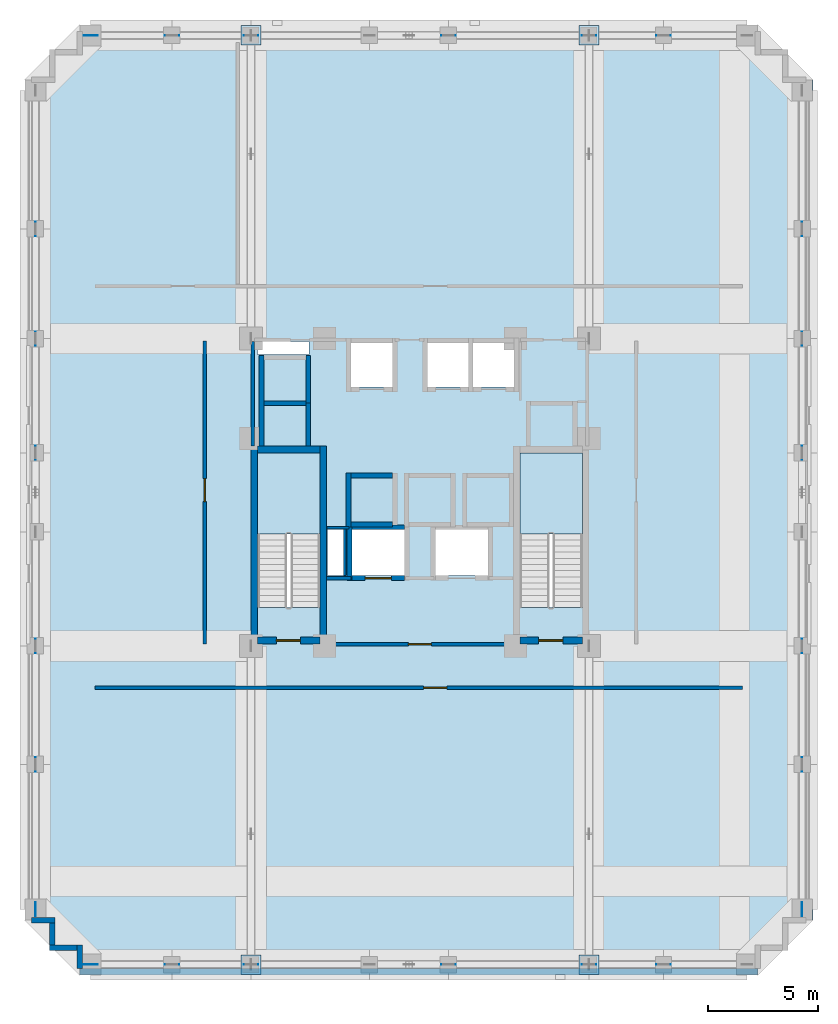
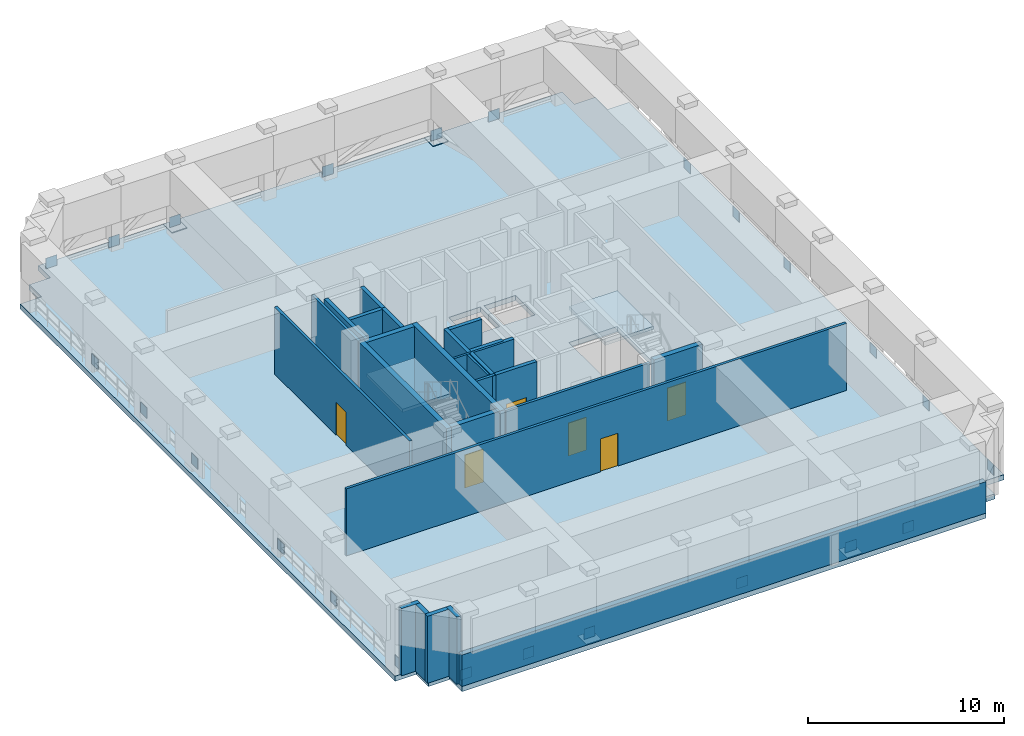
# One storey, part 3 of 11: 28 plates, 27 walls, 6 doors, 3 slabs, 6 openings, 2 elements without a shape of their own.
"""IFC4 building model written with IfcOpenShell, lengths in metres."""

from ifc_helpers import new_model, si_unit, derived_unit, direction, frame, frame_2d, origin, origin_2d, place, context, subcontext, project, spatial, polyline, rectangle, outline, extrude, material, layer, layer_set, type_object, element, fill, aggregate, save


model = new_model("IFC4")

# Units and contexts
model_context = context("Model", 3, precision=1e-05, world=origin(), true_north=direction((0.0, 1.0)))
body_context = subcontext(model_context, "Body", "Model", "MODEL_VIEW")
ifc_project = project(units=[si_unit("LENGTHUNIT", "METRE"), si_unit("AREAUNIT", "SQUARE_METRE"), si_unit("VOLUMEUNIT", "CUBIC_METRE"), si_unit("PLANEANGLEUNIT", "RADIAN"), si_unit("MASSUNIT", "GRAM", prefix="KILO"), derived_unit("THERMALTRANSMITTANCEUNIT", [(si_unit("MASSUNIT", "GRAM", prefix="KILO"), 1), (si_unit("TIMEUNIT", "SECOND"), -3), (si_unit("THERMODYNAMICTEMPERATUREUNIT", "KELVIN"), -1)])], contexts=[model_context])

# Site, building, storey
site_placement = place(None, origin())
site = spatial("IfcSite", under=ifc_project, at=site_placement, CompositionType="ELEMENT")
building_placement = place(site_placement, origin())
building = spatial("IfcBuilding", under=site, at=building_placement, Name="Korrvale Station Residences", CompositionType="ELEMENT")
storey_placement = place(building_placement, frame((0.0, 0.0, 119.89990234375)))
storey = spatial("IfcBuildingStorey", under=building, at=storey_placement, Name="L34", CompositionType="ELEMENT", Elevation=119.89990234375)

# Plates
ifc_material_1 = material(Name="Steel S355", Category="steel")
ifc_layer_1 = layer(ifc_material_1, 0.034912109375, Name="Steel S355")
ifc_layer_set_1 = layer_set([ifc_layer_1], Name="Steel S355")
plate_type_1 = type_object("IfcPlateType", Name="PLT-BASE-35", PredefinedType="SHEET", material=ifc_layer_set_1)
for number, where, z_axis, x_axis, name in (
    (1, (17.800048828125, 0.47998046875, 0.0), (0.0, 0.0, 1.0), (1.0, 0.0, 0.0), "L34 Outrigger Anchor Base Plate 1"),
    (2, (33.199951171875, 0.47998046875, 0.0), (0.0, 0.0, 1.0), (1.0, 0.0, 0.0), "L34 Outrigger Anchor Base Plate 2"),
    (3, (17.800048828125, 42.820068359375, 0.0), (0.0, 0.0, 1.0), (1.0, 0.0, 0.0), "L34 Outrigger Anchor Base Plate 3"),
    (4, (33.199951171875, 42.820068359375, 0.0), (0.0, 0.0, 1.0), (1.0, 0.0, 0.0), "L34 Outrigger Anchor Base Plate 4"),
):
    element("IfcPlate", number, at=place(storey_placement, frame(where, z_axis=z_axis, x_axis=x_axis)), inside=storey, type_object=plate_type_1, Name=name, PredefinedType="SHEET", context=body_context, shape_type="SweptSolid", body=[
        extrude(rectangle(XDim=0.89990234375, YDim=0.89990234375, at=origin_2d()), origin(), (0.0, 0.0, 1.0), 0.034912109375),
    ])
ifc_layer_2 = layer(ifc_material_1, 0.02490234375, Name="Steel S355")
ifc_layer_set_2 = layer_set([ifc_layer_2], Name="Steel S355")
plate_type_2 = type_object("IfcPlateType", Name="PLT-GUSSET-25", PredefinedType="SHEET", material=ifc_layer_set_2)
for number, where, z_axis, x_axis, name in (
    (5, (10.5, 0.47998046875, 0.025146484375), (0.0, 0.0, 1.0), (1.0, 0.0, 0.0), "L34 Belt Truss Node Gusset Plate 01"),
    (6, (14.199951171875, 0.47998046875, 0.025146484375), (0.0, 0.0, 1.0), (1.0, 0.0, 0.0), "L34 Belt Truss Node Gusset Plate 02"),
    (7, (17.800048828125, 0.47998046875, 0.025146484375), (0.0, 0.0, 1.0), (1.0, 0.0, 0.0), "L34 Belt Truss Node Gusset Plate 03"),
    (8, (26.800048828125, 0.47998046875, 0.025146484375), (0.0, 0.0, 1.0), (1.0, 0.0, 0.0), "L34 Belt Truss Node Gusset Plate 04"),
    (9, (33.199951171875, 0.47998046875, 0.025146484375), (0.0, 0.0, 1.0), (1.0, 0.0, 0.0), "L34 Belt Truss Node Gusset Plate 05"),
    (10, (36.60009765625, 0.47998046875, 0.025146484375), (0.0, 0.0, 1.0), (1.0, 0.0, 0.0), "L34 Belt Truss Node Gusset Plate 06"),
    (11, (10.5, 42.820068359375, 0.025146484375), (0.0, 0.0, 1.0), (1.0, 0.0, 0.0), "L34 Belt Truss Node Gusset Plate 07"),
    (12, (14.199951171875, 42.820068359375, 0.025146484375), (0.0, 0.0, 1.0), (1.0, 0.0, 0.0), "L34 Belt Truss Node Gusset Plate 08"),
    (13, (17.800048828125, 42.820068359375, 0.025146484375), (0.0, 0.0, 1.0), (1.0, 0.0, 0.0), "L34 Belt Truss Node Gusset Plate 09"),
    (14, (26.800048828125, 42.820068359375, 0.025146484375), (0.0, 0.0, 1.0), (1.0, 0.0, 0.0), "L34 Belt Truss Node Gusset Plate 10"),
    (15, (33.199951171875, 42.820068359375, 0.025146484375), (0.0, 0.0, 1.0), (1.0, 0.0, 0.0), "L34 Belt Truss Node Gusset Plate 11"),
    (16, (36.60009765625, 42.820068359375, 0.025146484375), (0.0, 0.0, 1.0), (1.0, 0.0, 0.0), "L34 Belt Truss Node Gusset Plate 12"),
    (17, (7.97998046875, 3.0, 0.025146484375), (0.0, 0.0, 1.0), (0.0, 1.0, 0.0), "L34 Belt Truss Node Gusset Plate 13"),
    (18, (7.97998046875, 9.60009765625, 0.025146484375), (0.0, 0.0, 1.0), (0.0, 1.0, 0.0), "L34 Belt Truss Node Gusset Plate 14"),
    (19, (7.97998046875, 15.0, 0.025146484375), (0.0, 0.0, 1.0), (0.0, 1.0, 0.0), "L34 Belt Truss Node Gusset Plate 15"),
    (20, (7.97998046875, 23.800048828125, 0.025146484375), (0.0, 0.0, 1.0), (0.0, 1.0, 0.0), "L34 Belt Truss Node Gusset Plate 16"),
    (21, (7.97998046875, 29.0, 0.025146484375), (0.0, 0.0, 1.0), (0.0, 1.0, 0.0), "L34 Belt Truss Node Gusset Plate 17"),
    (22, (7.97998046875, 34.0, 0.025146484375), (0.0, 0.0, 1.0), (0.0, 1.0, 0.0), "L34 Belt Truss Node Gusset Plate 18"),
    (23, (42.919921875, 3.0, 0.025146484375), (0.0, 0.0, 1.0), (0.0, 1.0, 0.0), "L34 Belt Truss Node Gusset Plate 19"),
    (24, (42.919921875, 9.60009765625, 0.025146484375), (0.0, 0.0, 1.0), (0.0, 1.0, 0.0), "L34 Belt Truss Node Gusset Plate 20"),
    (25, (42.919921875, 15.0, 0.025146484375), (0.0, 0.0, 1.0), (0.0, 1.0, 0.0), "L34 Belt Truss Node Gusset Plate 21"),
    (26, (42.919921875, 23.800048828125, 0.025146484375), (0.0, 0.0, 1.0), (0.0, 1.0, 0.0), "L34 Belt Truss Node Gusset Plate 22"),
    (27, (42.919921875, 29.0, 0.025146484375), (0.0, 0.0, 1.0), (0.0, 1.0, 0.0), "L34 Belt Truss Node Gusset Plate 23"),
    (28, (42.919921875, 34.0, 0.025146484375), (0.0, 0.0, 1.0), (0.0, 1.0, 0.0), "L34 Belt Truss Node Gusset Plate 24"),
):
    element("IfcPlate", number, at=place(storey_placement, frame(where, z_axis=z_axis, x_axis=x_axis)), inside=storey, type_object=plate_type_2, Name=name, PredefinedType="SHEET", context=body_context, shape_type="SweptSolid", body=[
        extrude(rectangle(XDim=0.64990234375, YDim=0.02490234375, at=origin_2d()), origin(), (0.0, 0.0, 1.0), 0.64990234375),
    ])

# Slab
ifc_material_2 = material(Name="Concrete C50/60", Category="concrete")
ifc_layer_3 = layer(ifc_material_2, 0.320068359375, Name="Concrete C50/60")
ifc_layer_set_3 = layer_set([ifc_layer_3], Name="Concrete C50/60")
slab_type_1 = type_object("IfcSlabType", Name="SLB-FLR-320", PredefinedType="FLOOR", material=ifc_layer_set_3)
slab_1_placement = place(storey_placement, frame((0.0, 0.0, -0.31982421875)))
element("IfcSlab", 29, at=slab_1_placement, inside=storey, type_object=slab_type_1, Name="L34 Suspended Structural Floor Slab", PredefinedType="FLOOR", context=body_context, shape_type="SweptSolid", body=[
    extrude(outline(polyline([(10.0, 0.0), (40.89990234375, 0.0), (40.89990234375, 1.25), (42.14990234375, 1.25), (42.14990234375, 2.5), (43.39990234375, 2.5), (43.39990234375, 40.800048828125), (42.14990234375, 40.800048828125), (42.14990234375, 42.050048828125), (40.89990234375, 42.050048828125), (40.89990234375, 43.300048828125), (10.0, 43.300048828125), (10.0, 42.050048828125), (8.75, 42.050048828125), (8.75, 40.800048828125), (7.5, 40.800048828125), (7.5, 2.5), (8.75, 2.5), (8.75, 1.25), (10.0, 1.25), (10.0, 0.0)]), holes=[polyline([(20.949951171875, 16.751953125), (20.949951171875, 23.800048828125), (18.10009765625, 23.800048828125), (18.10009765625, 16.751953125), (20.949951171875, 16.751953125)]), polyline([(32.89990234375, 16.751953125), (32.89990234375, 23.800048828125), (30.050048828125, 23.800048828125), (30.050048828125, 16.751953125), (32.89990234375, 16.751953125)]), polyline([(22.35009765625, 26.800048828125), (24.25, 26.800048828125), (24.25, 28.800048828125), (22.35009765625, 28.800048828125), (22.35009765625, 26.800048828125)]), polyline([(25.85009765625, 26.800048828125), (27.7099609375, 26.800048828125), (27.7099609375, 28.800048828125), (25.85009765625, 28.800048828125), (25.85009765625, 26.800048828125)]), polyline([(27.929931640625, 26.800048828125), (29.7900390625, 26.800048828125), (29.7900390625, 28.800048828125), (27.929931640625, 28.800048828125), (27.929931640625, 26.800048828125)]), polyline([(22.39990234375, 18.199951171875), (24.800048828125, 18.199951171875), (24.800048828125, 20.300048828125), (22.39990234375, 20.300048828125), (22.39990234375, 18.199951171875)]), polyline([(26.199951171875, 18.199951171875), (28.60009765625, 18.199951171875), (28.60009765625, 20.300048828125), (26.199951171875, 20.300048828125), (26.199951171875, 18.199951171875)]), polyline([(18.10009765625, 28.280029296875), (20.449951171875, 28.280029296875), (20.449951171875, 28.8798828125), (18.10009765625, 28.8798828125), (18.10009765625, 28.280029296875)]), polyline([(21.280029296875, 18.199951171875), (22.02001953125, 18.199951171875), (22.02001953125, 20.300048828125), (21.280029296875, 20.300048828125), (21.280029296875, 18.199951171875)])]), origin(), (0.0, 0.0, 1.0), 0.31982421875),
])

# Stair, slab
stair_type = type_object("IfcStairType", Name="STR-DL-1350-26R-1731", PredefinedType="HALF_TURN_STAIR", material=ifc_material_2)
stair_1_placement = place(storey_placement, origin())
stair_1 = element("IfcStair", 30, at=stair_1_placement, inside=storey, type_object=stair_type, Name="L34 Exit Stair 1", PredefinedType="HALF_TURN_STAIR")
ifc_layer_4 = layer(ifc_material_2, 0.199951171875, Name="Concrete C50/60")
ifc_layer_set_4 = layer_set([ifc_layer_4], Name="Concrete C50/60")
slab_type_2 = type_object("IfcSlabType", Name="SLB-LND-200", PredefinedType="LANDING", material=ifc_layer_set_4)
slab_2_placement = place(storey_placement, frame((0.0, 0.0, 2.050048828125)))
slab_2 = element("IfcSlab", 31, at=slab_2_placement, type_object=slab_type_2, Name="ST-1 landing 1", PredefinedType="LANDING", context=body_context, shape_type="SweptSolid", body=[
    extrude(outline(polyline([(20.949951171875, 20.110107421875), (20.949951171875, 23.800048828125), (18.10009765625, 23.800048828125), (18.10009765625, 20.110107421875), (20.949951171875, 20.110107421875)])), origin(), (0.0, 0.0, 1.0), 0.199951171875),
])
aggregate(stair_1, [slab_2])

stair_2_placement = place(storey_placement, origin())
stair_2 = element("IfcStair", 32, at=stair_2_placement, inside=storey, type_object=stair_type, Name="L34 Exit Stair 2", PredefinedType="HALF_TURN_STAIR")
slab_3_placement = place(storey_placement, frame((0.0, 0.0, 2.050048828125)))
slab_3 = element("IfcSlab", 33, at=slab_3_placement, type_object=slab_type_2, Name="ST-2 landing 1", PredefinedType="LANDING", context=body_context, shape_type="SweptSolid", body=[
    extrude(outline(polyline([(32.89990234375, 20.110107421875), (32.89990234375, 23.800048828125), (30.050048828125, 23.800048828125), (30.050048828125, 20.110107421875), (32.89990234375, 20.110107421875)])), origin(), (0.0, 0.0, 1.0), 0.199951171875),
])
aggregate(stair_2, [slab_3])

# Walls
ifc_material_3 = material(Name="Concrete C60/75", Category="concrete")
ifc_layer_5 = layer(ifc_material_3, 0.300048828125, Name="Concrete C60/75")
ifc_layer_set_5 = layer_set([ifc_layer_5], Name="Concrete C60/75")
wall_type_1 = type_object("IfcWallType", Name="WAL-CORE-300-C60", PredefinedType="SHEAR", material=ifc_layer_set_5)
for number, where, z_axis, x_axis, name in (
    (34, (17.949951171875, 15.10009765625, 0.0), (0.0, 0.0, 1.0), (0.0, 1.0, 0.0), "L34 ST-1 Core Shear Wall West"),
    (35, (21.10009765625, 15.10009765625, 0.0), (0.0, 0.0, 1.0), (0.0, 1.0, 0.0), "L34 ST-1 Core Shear Wall East"),
):
    element("IfcWall", number, at=place(storey_placement, frame(where, z_axis=z_axis, x_axis=x_axis)), inside=storey, type_object=wall_type_1, Name=name, PredefinedType="SHEAR", context=body_context, shape_type="SweptSolid", body=[
        extrude(rectangle(XDim=9.0, YDim=0.300048828125, at=frame_2d((4.5, 0.0))), origin(), (0.0, 0.0, 1.0), 4.18017578125),
    ])
wall_1_placement = place(storey_placement, frame((18.10009765625, 23.949951171875, 0.0), z_axis=(0.0, 0.0, 1.0), x_axis=(1.0, 0.0, 0.0)))
element("IfcWall", 36, at=wall_1_placement, inside=storey, type_object=wall_type_1, Name="L34 ST-1 Core Shear Wall North", PredefinedType="SHEAR", context=body_context, shape_type="SweptSolid", body=[
    extrude(rectangle(XDim=2.849853515625, YDim=0.300048828125, at=frame_2d((1.4248046875, 0.0))), origin(), (0.0, 0.0, 1.0), 4.18017578125),
])

# Wall, opening, door
wall_2_placement = place(storey_placement, frame((18.10009765625, 15.25, 0.0), z_axis=(0.0, 0.0, 1.0), x_axis=(1.0, 0.0, 0.0)))
wall_2 = element("IfcWall", 37, at=wall_2_placement, inside=storey, type_object=wall_type_1, Name="L34 ST-1 Core Shear Wall South", PredefinedType="SHEAR", context=body_context, shape_type="SweptSolid", body=[
    extrude(rectangle(XDim=2.849853515625, YDim=0.300048828125, at=frame_2d((1.4248046875, 0.0))), origin(), (0.0, 0.0, 1.0), 4.18017578125),
])
opening_1_placement = place(wall_2_placement, frame((0.860107421875, 0.0, 0.0)))
opening_1 = element("IfcOpeningElement", 38, at=opening_1_placement, cuts=wall_2, Name="Opening SD-1100", PredefinedType="OPENING", context=body_context, shape_type="SweptSolid", body=[
    extrude(rectangle(XDim=1.10009765625, YDim=2.050048828125, at=frame_2d((0.550048828125, 1.02490234375))), frame((0.0, 0.16015625, 0.0), z_axis=(0.0, -1.0, 0.0), x_axis=(1.0, 0.0, 0.0)), (0.0, 0.0, 1.0), 0.320068359375),
])
ifc_material_4 = material(Name="Hollow-metal fire-rated stair door with closer", Category="steel")
door_type_1 = type_object("IfcDoorType", Name="DR-STAIR-1100", OperationType="NOTDEFINED", PredefinedType="DOOR", material=ifc_material_4)
door_1_placement = place(opening_1_placement, origin())
door_1 = element("IfcDoor", 39, at=door_1_placement, inside=storey, type_object=door_type_1, Name="L34 ST-1 Exit Stair Door", OperationType="SINGLE_SWING_LEFT", OverallHeight=2.050048828125, OverallWidth=1.10009765625, PredefinedType="DOOR", context=body_context, shape_type="SweptSolid", body=[
    extrude(rectangle(XDim=1.10009765625, YDim=2.050048828125, at=frame_2d((0.550048828125, 1.02490234375))), frame((0.0, 0.02490234375, 0.0), z_axis=(0.0, -1.0, 0.0), x_axis=(1.0, 0.0, 0.0)), (0.0, 0.0, 1.0), 0.050048828125),
])
fill(opening_1, door_1)

wall_3_placement = place(storey_placement, frame((30.050048828125, 15.25, 0.0), z_axis=(0.0, 0.0, 1.0), x_axis=(1.0, 0.0, 0.0)))
wall_3 = element("IfcWall", 40, at=wall_3_placement, inside=storey, type_object=wall_type_1, Name="L34 ST-2 Core Shear Wall South", PredefinedType="SHEAR", context=body_context, shape_type="SweptSolid", body=[
    extrude(rectangle(XDim=2.849853515625, YDim=0.300048828125, at=frame_2d((1.4248046875, 0.0))), origin(), (0.0, 0.0, 1.0), 4.18017578125),
])
opening_2_placement = place(wall_3_placement, frame((0.860107421875, 0.0, 0.0)))
opening_2 = element("IfcOpeningElement", 41, at=opening_2_placement, cuts=wall_3, Name="Opening SD-1100", PredefinedType="OPENING", context=body_context, shape_type="SweptSolid", body=[
    extrude(rectangle(XDim=1.10009765625, YDim=2.050048828125, at=frame_2d((0.550048828125, 1.02490234375))), frame((0.0, 0.16015625, 0.0), z_axis=(0.0, -1.0, 0.0), x_axis=(1.0, 0.0, 0.0)), (0.0, 0.0, 1.0), 0.320068359375),
])
door_2_placement = place(opening_2_placement, origin())
door_2 = element("IfcDoor", 42, at=door_2_placement, inside=storey, type_object=door_type_1, Name="L34 ST-2 Exit Stair Door", OperationType="SINGLE_SWING_RIGHT", OverallHeight=2.050048828125, OverallWidth=1.10009765625, PredefinedType="DOOR", context=body_context, shape_type="SweptSolid", body=[
    extrude(rectangle(XDim=1.10009765625, YDim=2.050048828125, at=frame_2d((0.550048828125, 1.02490234375))), frame((0.0, 0.02490234375, 0.0), z_axis=(0.0, -1.0, 0.0), x_axis=(1.0, 0.0, 0.0)), (0.0, 0.0, 1.0), 0.050048828125),
])
fill(opening_2, door_2)

# Walls
ifc_material_5 = material(Name="Precast concrete C45/55", Category="concrete")
ifc_layer_6 = layer(ifc_material_5, 0.260009765625, Name="Precast concrete C45/55")
ifc_layer_set_6 = layer_set([ifc_layer_6], Name="Precast concrete C45/55")
wall_type_2 = type_object("IfcWallType", Name="WAL-EXT-LOG260", PredefinedType="SOLIDWALL", material=ifc_layer_set_6)
wall_4_placement = place(storey_placement, frame((10.0, 0.302001953125, 0.0), z_axis=(0.0, 0.0, 1.0), x_axis=(0.0, 1.0, 0.0)))
element("IfcWall", 43, at=wall_4_placement, inside=storey, type_object=wall_type_2, Name="L34 Serrated Corner Precast Step SW-1", PredefinedType="SOLIDWALL", context=body_context, shape_type="SweptSolid", body=[
    extrude(rectangle(XDim=1.077880859375, YDim=0.260009765625, at=frame_2d((0.5390625, 0.0))), origin(), (0.0, 0.0, 1.0), 4.18017578125),
])
wall_5_placement = place(storey_placement, frame((9.867919921875, 1.25, 0.0), z_axis=(0.0, 0.0, 1.0), x_axis=(-1.0, 0.0, 0.0)))
element("IfcWall", 44, at=wall_5_placement, inside=storey, type_object=wall_type_2, Name="L34 Serrated Corner Precast Step SW-2", PredefinedType="SOLIDWALL", context=body_context, shape_type="SweptSolid", body=[
    extrude(rectangle(XDim=1.247802734375, YDim=0.260009765625, at=frame_2d((0.6240234375, 0.0))), origin(), (0.0, 0.0, 1.0), 4.18017578125),
])
wall_6_placement = place(storey_placement, frame((8.75, 1.382080078125, 0.0), z_axis=(0.0, 0.0, 1.0), x_axis=(0.0, 1.0, 0.0)))
element("IfcWall", 45, at=wall_6_placement, inside=storey, type_object=wall_type_2, Name="L34 Serrated Corner Precast Step SW-3", PredefinedType="SOLIDWALL", context=body_context, shape_type="SweptSolid", body=[
    extrude(rectangle(XDim=0.98583984375, YDim=0.260009765625, at=frame_2d((0.492919921875, 0.0))), origin(), (0.0, 0.0, 1.0), 4.18017578125),
])
wall_7_placement = place(storey_placement, frame((8.8798828125, 2.5, 0.0), z_axis=(0.0, 0.0, 1.0), x_axis=(-1.0, 0.0, 0.0)))
element("IfcWall", 46, at=wall_7_placement, inside=storey, type_object=wall_type_2, Name="L34 Serrated Corner Precast Step SW-4", PredefinedType="SOLIDWALL", context=body_context, shape_type="SweptSolid", body=[
    extrude(rectangle(XDim=1.077880859375, YDim=0.260009765625, at=frame_2d((0.5390625, 0.0))), origin(), (0.0, 0.0, 1.0), 4.18017578125),
])
ifc_layer_7 = layer(ifc_material_5, 0.300048828125, Name="Precast concrete C45/55")
ifc_layer_set_7 = layer_set([ifc_layer_7], Name="Precast concrete C45/55")
wall_type_3 = type_object("IfcWallType", Name="WAL-EXT-PC300", PredefinedType="SOLIDWALL", material=ifc_layer_set_7)
wall_8_placement = place(storey_placement, frame((40.89990234375, 0.14990234375, 0.0), z_axis=(0.0, 0.0, 1.0), x_axis=(-1.0, 0.0, 0.0)))
element("IfcWall", 47, at=wall_8_placement, inside=storey, type_object=wall_type_3, Name="L34 South Exterior Precast Wall 1", PredefinedType="SOLIDWALL", context=body_context, shape_type="SweptSolid", body=[
    extrude(rectangle(XDim=30.89990234375, YDim=0.300048828125, at=frame_2d((15.449951171875, 0.0))), origin(), (0.0, 0.0, 1.0), 1.965087890625),
])
ifc_material_6 = material(Name="Acoustic steel-stud gypsum board partition", Category="steel")
ifc_layer_8 = layer(ifc_material_6, 0.1201171875, Name="Acoustic steel-stud gypsum board partition")
ifc_layer_set_8 = layer_set([ifc_layer_8], Name="Acoustic steel-stud gypsum board partition")
wall_type_4 = type_object("IfcWallType", Name="WAL-PART-125", PredefinedType="PARTITIONING", material=ifc_layer_set_8)
wall_9_placement = place(storey_placement, frame((22.080078125, 18.199951171875, 0.0), z_axis=(0.0, 0.0, 1.0), x_axis=(0.0, 1.0, 0.0)))
element("IfcWall", 48, at=wall_9_placement, inside=storey, type_object=wall_type_4, Name="L34 Core Partition CW-RSWT", PredefinedType="PARTITIONING", context=body_context, shape_type="SweptSolid", body=[
    extrude(rectangle(XDim=2.1201171875, YDim=0.1201171875, at=frame_2d((1.06005859375, 0.0))), origin(), (0.0, 0.0, 1.0), 4.18017578125),
])
wall_10_placement = place(storey_placement, frame((22.280029296875, 20.3798828125, 0.0), z_axis=(0.0, 0.0, 1.0), x_axis=(-1.0, 0.0, 0.0)))
element("IfcWall", 49, at=wall_10_placement, inside=storey, type_object=wall_type_4, Name="L34 Core Partition CW-RSWT-N", PredefinedType="PARTITIONING", context=body_context, shape_type="SweptSolid", body=[
    extrude(rectangle(XDim=1.02001953125, YDim=0.1201171875, at=frame_2d((0.510009765625, 0.0))), origin(), (0.0, 0.0, 1.0), 4.18017578125),
])

# Wall, opening, door
ifc_material_7 = material(Name="Fire-rated twin-stud gypsum and mineral wool shaftwall assembly", Category="gypsum")
ifc_layer_9 = layer(ifc_material_7, 0.159912109375, Name="Fire-rated twin-stud gypsum and mineral wool shaftwall assembly")
ifc_layer_set_9 = layer_set([ifc_layer_9], Name="Fire-rated twin-stud gypsum and mineral wool shaftwall assembly")
wall_type_5 = type_object("IfcWallType", Name="WAL-PART-200", PredefinedType="PARTITIONING", material=ifc_layer_set_9)
wall_11_placement = place(storey_placement, frame((21.25, 15.080078125, 0.0), z_axis=(0.0, 0.0, 1.0), x_axis=(1.0, 0.0, 0.0)))
wall_11 = element("IfcWall", 50, at=wall_11_placement, inside=storey, type_object=wall_type_5, Name="L34 Core Partition CW-FFL-S", PredefinedType="PARTITIONING", context=body_context, shape_type="SweptSolid", body=[
    extrude(rectangle(XDim=8.5, YDim=0.159912109375, at=frame_2d((4.25, 0.0))), origin(), (0.0, 0.0, 1.0), 4.18017578125),
])
opening_3_placement = place(wall_11_placement, frame((3.72509765625, 0.0, 0.0)))
opening_3 = element("IfcOpeningElement", 51, at=opening_3_placement, cuts=wall_11, Name="Opening FD-1050", PredefinedType="OPENING", context=body_context, shape_type="SweptSolid", body=[
    extrude(rectangle(XDim=1.050048828125, YDim=2.050048828125, at=frame_2d((0.52490234375, 1.02490234375))), frame((0.0, 0.08984375, 0.0), z_axis=(0.0, -1.0, 0.0), x_axis=(1.0, 0.0, 0.0)), (0.0, 0.0, 1.0), 0.179931640625),
])
ifc_material_8 = material(Name="Fire-rated mineral-core timber lobby door", Category="wood")
door_type_2 = type_object("IfcDoorType", Name="DR-CORE-1050", OperationType="NOTDEFINED", PredefinedType="DOOR", material=ifc_material_8)
door_3_placement = place(opening_3_placement, origin())
door_3 = element("IfcDoor", 52, at=door_3_placement, inside=storey, type_object=door_type_2, Name="L34 Firefighting Lobby Entry Door", OperationType="SINGLE_SWING_RIGHT", OverallHeight=2.050048828125, OverallWidth=1.050048828125, PredefinedType="DOOR", context=body_context, shape_type="SweptSolid", body=[
    extrude(rectangle(XDim=1.050048828125, YDim=2.050048828125, at=frame_2d((0.52490234375, 1.02490234375))), frame((0.0, 0.02490234375, 0.0), z_axis=(0.0, -1.0, 0.0), x_axis=(1.0, 0.0, 0.0)), (0.0, 0.0, 1.0), 0.050048828125),
])
fill(opening_3, door_3)

# Walls
wall_12_placement = place(storey_placement, frame((21.25, 18.080078125, 0.0), z_axis=(0.0, 0.0, 1.0), x_axis=(1.0, 0.0, 0.0)))
element("IfcWall", 53, at=wall_12_placement, inside=storey, type_object=wall_type_5, Name="L34 Core Partition CW-FFL-N1", PredefinedType="PARTITIONING", context=body_context, shape_type="SweptSolid", body=[
    extrude(rectangle(XDim=1.10009765625, YDim=0.159912109375, at=frame_2d((0.550048828125, 0.0))), origin(), (0.0, 0.0, 1.0), 4.18017578125),
])
wall_13_placement = place(storey_placement, frame((17.8798828125, 24.1201171875, 0.0), z_axis=(0.0, 0.0, 1.0), x_axis=(0.0, 1.0, 0.0)))
element("IfcWall", 54, at=wall_13_placement, inside=storey, type_object=wall_type_5, Name="L34 Core Partition CW-W-N", PredefinedType="PARTITIONING", context=body_context, shape_type="SweptSolid", body=[
    extrude(rectangle(XDim=4.759765625, YDim=0.159912109375, at=frame_2d((2.3798828125, 0.0))), origin(), (0.0, 0.0, 1.0), 4.18017578125),
])

# Wall, opening, door
wall_14_placement = place(storey_placement, frame((10.699951171875, 13.10009765625, 0.0), z_axis=(0.0, 0.0, 1.0), x_axis=(1.0, 0.0, 0.0)))
wall_14 = element("IfcWall", 55, at=wall_14_placement, inside=storey, type_object=wall_type_5, Name="L34 Interior Partition W-RS", PredefinedType="PARTITIONING", context=body_context, shape_type="SweptSolid", body=[
    extrude(rectangle(XDim=29.5, YDim=0.159912109375, at=frame_2d((14.75, 0.0))), origin(), (0.0, 0.0, 1.0), 4.18017578125),
])
opening_4_placement = place(wall_14_placement, frame((14.97509765625, 0.0, 0.0)))
opening_4 = element("IfcOpeningElement", 56, at=opening_4_placement, cuts=wall_14, Name="Opening FD-1050", PredefinedType="OPENING", context=body_context, shape_type="SweptSolid", body=[
    extrude(rectangle(XDim=1.050048828125, YDim=2.050048828125, at=frame_2d((0.52490234375, 1.02490234375))), frame((0.0, 0.08984375, 0.0), z_axis=(0.0, -1.0, 0.0), x_axis=(1.0, 0.0, 0.0)), (0.0, 0.0, 1.0), 0.179931640625),
])
door_4_placement = place(opening_4_placement, origin())
door_4 = element("IfcDoor", 57, at=door_4_placement, inside=storey, type_object=door_type_2, Name="L34 Heat Exchanger Plant Door", OperationType="SINGLE_SWING_RIGHT", OverallHeight=2.050048828125, OverallWidth=1.050048828125, PredefinedType="DOOR", context=body_context, shape_type="SweptSolid", body=[
    extrude(rectangle(XDim=1.050048828125, YDim=2.050048828125, at=frame_2d((0.52490234375, 1.02490234375))), frame((0.0, 0.02490234375, 0.0), z_axis=(0.0, -1.0, 0.0), x_axis=(1.0, 0.0, 0.0)), (0.0, 0.0, 1.0), 0.050048828125),
])
fill(opening_4, door_4)

wall_15_placement = place(storey_placement, frame((15.699951171875, 15.10009765625, 0.0), z_axis=(0.0, 0.0, 1.0), x_axis=(0.0, 1.0, 0.0)))
wall_15 = element("IfcWall", 58, at=wall_15_placement, inside=storey, type_object=wall_type_5, Name="L34 Interior Partition W-RW", PredefinedType="PARTITIONING", context=body_context, shape_type="SweptSolid", body=[
    extrude(rectangle(XDim=13.7998046875, YDim=0.159912109375, at=frame_2d((6.89990234375, 0.0))), origin(), (0.0, 0.0, 1.0), 4.18017578125),
])
opening_5_placement = place(wall_15_placement, frame((6.47509765625, 0.0, 0.0)))
opening_5 = element("IfcOpeningElement", 59, at=opening_5_placement, cuts=wall_15, Name="Opening FD-1050", PredefinedType="OPENING", context=body_context, shape_type="SweptSolid", body=[
    extrude(rectangle(XDim=1.050048828125, YDim=2.050048828125, at=frame_2d((0.52490234375, 1.02490234375))), frame((0.0, 0.08984375, 0.0), z_axis=(0.0, -1.0, 0.0), x_axis=(1.0, 0.0, 0.0)), (0.0, 0.0, 1.0), 0.179931640625),
])
door_5_placement = place(opening_5_placement, origin())
door_5 = element("IfcDoor", 60, at=door_5_placement, inside=storey, type_object=door_type_2, Name="L34 West Refuge Area Fire Door", OperationType="SINGLE_SWING_LEFT", OverallHeight=2.050048828125, OverallWidth=1.050048828125, PredefinedType="DOOR", context=body_context, shape_type="SweptSolid", body=[
    extrude(rectangle(XDim=1.050048828125, YDim=2.050048828125, at=frame_2d((0.52490234375, 1.02490234375))), frame((0.0, 0.02490234375, 0.0), z_axis=(0.0, -1.0, 0.0), x_axis=(1.0, 0.0, 0.0)), (0.0, 0.0, 1.0), 0.050048828125),
])
fill(opening_5, door_5)

# Walls
ifc_layer_10 = layer(ifc_material_3, 0.219970703125, Name="Concrete C60/75")
ifc_layer_set_10 = layer_set([ifc_layer_10], Name="Concrete C60/75")
wall_type_6 = type_object("IfcWallType", Name="WAL-SHAFT-220-C60", PredefinedType="SHEAR", material=ifc_layer_set_10)
for number, where, z_axis, x_axis, name in (
    (61, (22.35009765625, 20.5400390625, 0.0), (0.0, 0.0, 1.0), (1.0, 0.0, 0.0), "L34 Elevator PM-1 Hoistway Wall South"),
    (62, (22.35009765625, 22.760009765625, 0.0), (0.0, 0.0, 1.0), (1.0, 0.0, 0.0), "L34 Elevator PM-1 Hoistway Wall North"),
):
    element("IfcWall", number, at=place(storey_placement, frame(where, z_axis=z_axis, x_axis=x_axis)), inside=storey, type_object=wall_type_6, Name=name, PredefinedType="SHEAR", context=body_context, shape_type="SweptSolid", body=[
        extrude(rectangle(XDim=1.89990234375, YDim=0.219970703125, at=frame_2d((0.949951171875, 0.0))), origin(), (0.0, 0.0, 1.0), 4.18017578125),
    ])
wall_16_placement = place(storey_placement, frame((22.239990234375, 20.429931640625, 0.0), z_axis=(0.0, 0.0, 1.0), x_axis=(0.0, 1.0, 0.0)))
element("IfcWall", 63, at=wall_16_placement, inside=storey, type_object=wall_type_6, Name="L34 Elevator PM-1 Hoistway Wall West", PredefinedType="SHEAR", context=body_context, shape_type="SweptSolid", body=[
    extrude(rectangle(XDim=2.440185546875, YDim=0.219970703125, at=frame_2d((1.22021484375, 0.0))), origin(), (0.0, 0.0, 1.0), 4.18017578125),
])
wall_17_placement = place(storey_placement, frame((18.2900390625, 24.10009765625, 0.0), z_axis=(0.0, 0.0, 1.0), x_axis=(0.0, 1.0, 0.0)))
element("IfcWall", 64, at=wall_17_placement, inside=storey, type_object=wall_type_6, Name="L34 Elevator PH-1 Hoistway Wall West", PredefinedType="SHEAR", context=body_context, shape_type="SweptSolid", body=[
    extrude(rectangle(XDim=4.139892578125, YDim=0.219970703125, at=frame_2d((2.06982421875, 0.0))), origin(), (0.0, 0.0, 1.0), 4.18017578125),
])
wall_18_placement = place(storey_placement, frame((20.409912109375, 24.10009765625, 0.0), z_axis=(0.0, 0.0, 1.0), x_axis=(0.0, 1.0, 0.0)))
element("IfcWall", 65, at=wall_18_placement, inside=storey, type_object=wall_type_6, Name="L34 Elevator PH-1 Hoistway Wall East", PredefinedType="SHEAR", context=body_context, shape_type="SweptSolid", body=[
    extrude(rectangle(XDim=1.9599609375, YDim=0.219970703125, at=frame_2d((0.97998046875, 0.0))), origin(), (0.0, 0.0, 1.0), 4.18017578125),
])
wall_19_placement = place(storey_placement, frame((18.39990234375, 26.06005859375, 0.0), z_axis=(0.0, 0.0, 1.0), x_axis=(1.0, 0.0, 0.0)))
element("IfcWall", 66, at=wall_19_placement, inside=storey, type_object=wall_type_6, Name="L34 Elevator PH-2 Hoistway Wall South", PredefinedType="SHEAR", context=body_context, shape_type="SweptSolid", body=[
    extrude(rectangle(XDim=1.900146484375, YDim=0.219970703125, at=frame_2d((0.9501953125, 0.0))), origin(), (0.0, 0.0, 1.0), 4.18017578125),
])
wall_20_placement = place(storey_placement, frame((20.409912109375, 26.06005859375, 0.0), z_axis=(0.0, 0.0, 1.0), x_axis=(0.0, 1.0, 0.0)))
element("IfcWall", 67, at=wall_20_placement, inside=storey, type_object=wall_type_6, Name="L34 Elevator PH-2 Hoistway Wall East", PredefinedType="SHEAR", context=body_context, shape_type="SweptSolid", body=[
    extrude(rectangle(XDim=2.179931640625, YDim=0.219970703125, at=frame_2d((1.08984375, 0.0))), origin(), (0.0, 0.0, 1.0), 4.18017578125),
])

# Wall, opening, door
wall_21_placement = place(storey_placement, frame((22.39990234375, 18.090087890625, 0.0), z_axis=(0.0, 0.0, 1.0), x_axis=(1.0, 0.0, 0.0)))
wall_21 = element("IfcWall", 68, at=wall_21_placement, inside=storey, type_object=wall_type_6, Name="L34 Elevator FFL-1 Hoistway Wall South", PredefinedType="SHEAR", context=body_context, shape_type="SweptSolid", body=[
    extrude(rectangle(XDim=2.400146484375, YDim=0.219970703125, at=frame_2d((1.2001953125, 0.0))), origin(), (0.0, 0.0, 1.0), 4.18017578125),
])
opening_6_placement = place(wall_21_placement, frame((0.60009765625, 0.0, 0.0)))
opening_6 = element("IfcOpeningElement", 69, at=opening_6_placement, cuts=wall_21, Name="Opening LD-FF1200", PredefinedType="OPENING", context=body_context, shape_type="SweptSolid", body=[
    extrude(rectangle(XDim=1.199951171875, YDim=2.14990234375, at=frame_2d((0.60009765625, 1.074951171875))), frame((0.0, 0.1201171875, 0.0), z_axis=(0.0, -1.0, 0.0), x_axis=(1.0, 0.0, 0.0)), (0.0, 0.0, 1.0), 0.239990234375),
])
ifc_material_9 = material(Name="Stainless-steel firefighter elevator landing sliding door", Category="steel")
door_type_3 = type_object("IfcDoorType", Name="DR-LIFT-FF1200", OperationType="SLIDING_TO_LEFT", PredefinedType="DOOR", material=ifc_material_9)
door_6_placement = place(opening_6_placement, origin())
door_6 = element("IfcDoor", 70, at=door_6_placement, inside=storey, type_object=door_type_3, Name="L34 Elevator FFL-1 Sliding Landing Door", OperationType="SLIDING_TO_LEFT", OverallHeight=2.14990234375, OverallWidth=1.199951171875, PredefinedType="DOOR", context=body_context, shape_type="SweptSolid", body=[
    extrude(rectangle(XDim=1.199951171875, YDim=2.14990234375, at=frame_2d((0.60009765625, 1.074951171875))), frame((0.0, 0.02490234375, 0.0), z_axis=(0.0, -1.0, 0.0), x_axis=(1.0, 0.0, 0.0)), (0.0, 0.0, 1.0), 0.050048828125),
])
fill(opening_6, door_6)

# Walls
wall_22_placement = place(storey_placement, frame((22.39990234375, 20.409912109375, 0.0), z_axis=(0.0, 0.0, 1.0), x_axis=(1.0, 0.0, 0.0)))
element("IfcWall", 71, at=wall_22_placement, inside=storey, type_object=wall_type_6, Name="L34 Elevator FFL-1 Hoistway Wall North", PredefinedType="SHEAR", context=body_context, shape_type="SweptSolid", body=[
    extrude(rectangle(XDim=2.400146484375, YDim=0.219970703125, at=frame_2d((1.2001953125, 0.0))), origin(), (0.0, 0.0, 1.0), 4.18017578125),
])
wall_23_placement = place(storey_placement, frame((22.2900390625, 17.97998046875, 0.0), z_axis=(0.0, 0.0, 1.0), x_axis=(0.0, 1.0, 0.0)))
element("IfcWall", 72, at=wall_23_placement, inside=storey, type_object=wall_type_6, Name="L34 Elevator FFL-1 Hoistway Wall West", PredefinedType="SHEAR", context=body_context, shape_type="SweptSolid", body=[
    extrude(rectangle(XDim=2.5400390625, YDim=0.219970703125, at=frame_2d((1.27001953125, 0.0))), origin(), (0.0, 0.0, 1.0), 4.18017578125),
])

save(model, "model.ifc")
